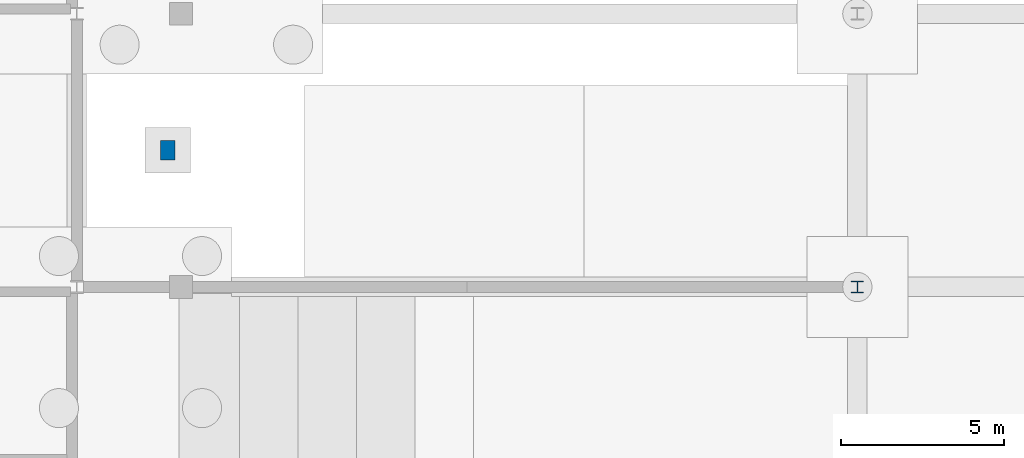
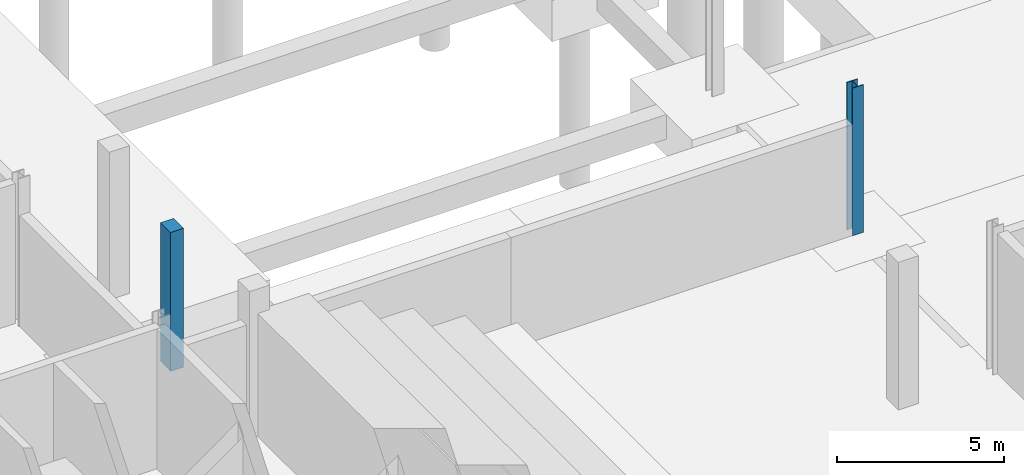
# One storey, part 11 of 36: 2 columns.
"""IFC4 building model written with IfcOpenShell, lengths in metres."""

from ifc_helpers import new_model, si_unit, direction, frame, origin, origin_2d, place, context, subcontext, project, spatial, rectangle, i_section, extrude, material, material_profile, profile_set, type_object, element, save


model = new_model("IFC4")

# Units and contexts
model_context = context("Model", 3, precision=1e-05, world=origin(), true_north=direction((0.0, 1.0)))
body_context = subcontext(model_context, "Body", "Model", "MODEL_VIEW")
ifc_project = project(units=[si_unit("LENGTHUNIT", "METRE"), si_unit("AREAUNIT", "SQUARE_METRE"), si_unit("VOLUMEUNIT", "CUBIC_METRE"), si_unit("PLANEANGLEUNIT", "RADIAN"), si_unit("MASSUNIT", "GRAM", prefix="KILO"), si_unit("THERMODYNAMICTEMPERATUREUNIT", "KELVIN"), si_unit("POWERUNIT", "WATT")], contexts=[model_context])

# Site, building, storey
site_placement = place(None, origin())
site = spatial("IfcSite", under=ifc_project, at=site_placement, CompositionType="ELEMENT")
building_placement = place(site_placement, origin())
building = spatial("IfcBuilding", under=site, at=building_placement, Name="Tembeka Court Mobility Hub", CompositionType="ELEMENT")
storey_placement = place(building_placement, frame((0.0, 0.0, -5.39990234375)))
storey = spatial("IfcBuildingStorey", under=building, at=storey_placement, Name="B1", CompositionType="ELEMENT", Elevation=-5.39990234375)

# Columns
ifc_material_1 = material(Name="Steel S355", Category="steel")
ifc_material_profile_1 = material_profile(ifc_material_1, i_section(OverallWidth=0.373046875, OverallDepth=0.367919921875, WebThickness=0.014404296875, FlangeThickness=0.023681640625, FilletRadius=0.01513671875, at=origin_2d()), Name="UKC 356x368x177")
ifc_profile_set_1 = profile_set([ifc_material_profile_1], Name="Steel S355")
column_type_1 = type_object("IfcColumnType", Name="COL-C03", PredefinedType="COLUMN", material=ifc_profile_set_1)
column_1_placement = place(storey_placement, frame((116.39990234375, 55.199951171875, 0.0), z_axis=(0.0, 0.0, 1.0), x_axis=(1.0, 0.0, 0.0)))
element("IfcColumn", 1, at=column_1_placement, inside=storey, type_object=column_type_1, Name="Column C03 (B1-161)", PredefinedType="COLUMN", context=body_context, shape_type="SweptSolid", body=[
    extrude(i_section(OverallWidth=0.373046875, OverallDepth=0.367919921875, WebThickness=0.014404296875, FlangeThickness=0.023681640625, FilletRadius=0.01513671875, at=origin_2d()), origin(), (0.0, 0.0, 1.0), 5.39990234375),
])
ifc_material_2 = material(Name="Concrete C40/50", Category="concrete")
ifc_material_profile_2 = material_profile(ifc_material_2, rectangle(XDim=0.449951171875, YDim=0.60009765625, at=origin_2d()), Name="RC-PIL 450x600")
ifc_profile_set_2 = profile_set([ifc_material_profile_2], Name="Concrete C40/50")
column_type_2 = type_object("IfcColumnType", Name="COL-PIL01", PredefinedType="PILASTER", material=ifc_profile_set_2)
column_2_placement = place(storey_placement, frame((95.199951171875, 59.39990234375, 0.0), z_axis=(0.0, 0.0, 1.0), x_axis=(1.0, 0.0, 0.0)))
element("IfcColumn", 2, at=column_2_placement, inside=storey, type_object=column_type_2, Name="Plaza apron pier PL01-01", PredefinedType="PILASTER", context=body_context, shape_type="SweptSolid", body=[
    extrude(rectangle(XDim=0.449951171875, YDim=0.60009765625, at=origin_2d()), origin(), (0.0, 0.0, 1.0), 5.079833984375),
])

save(model, "model.ifc")
